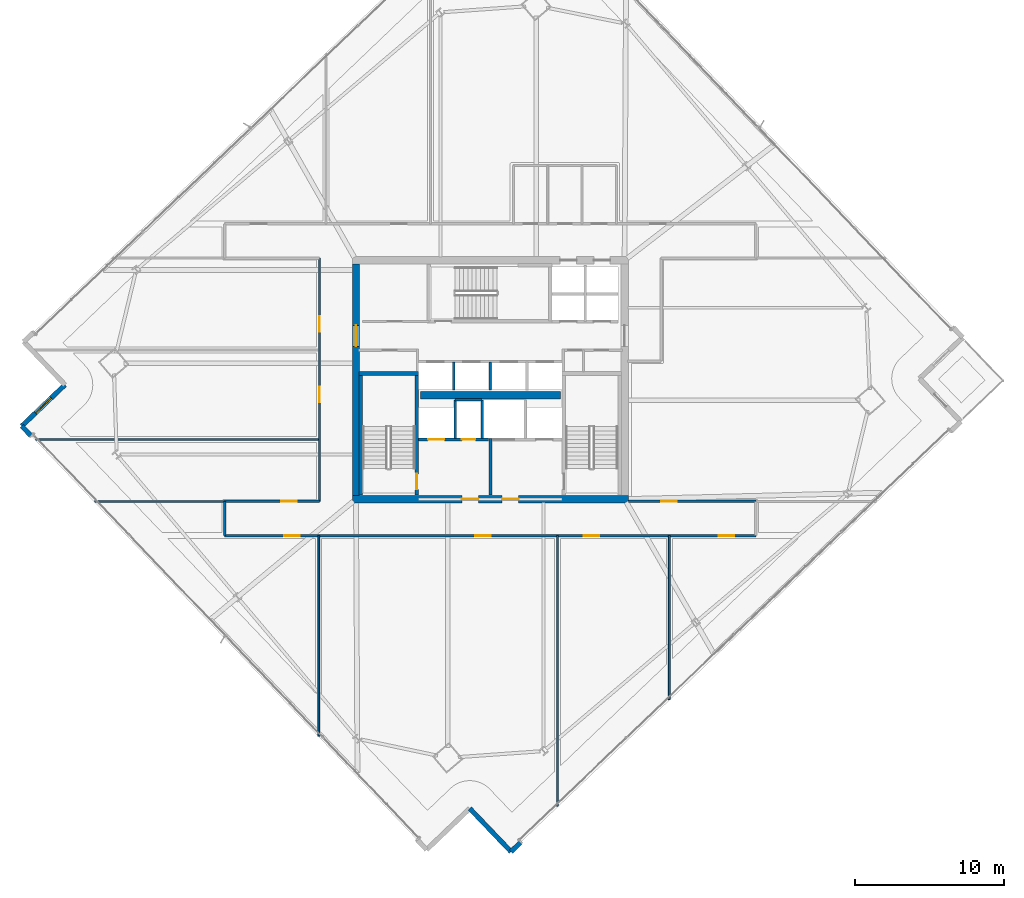
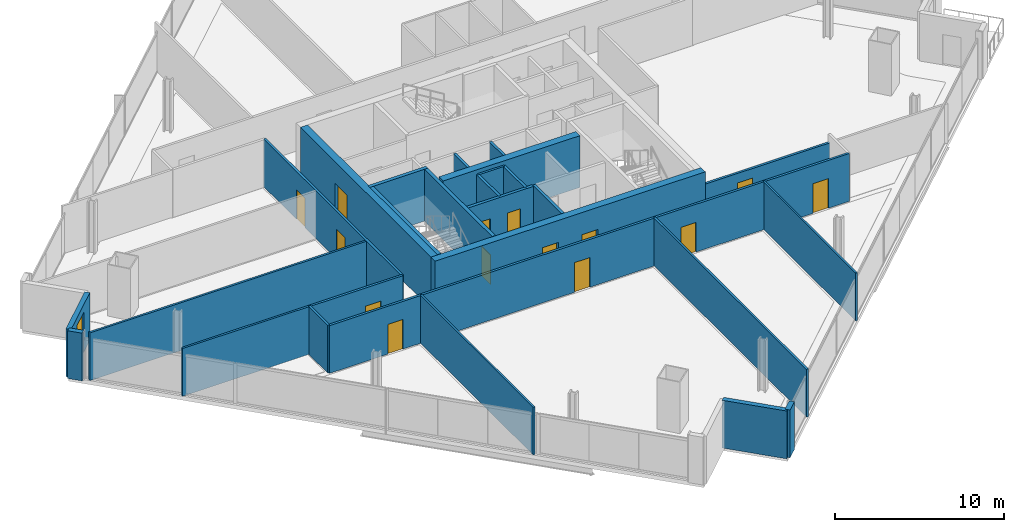
# One storey, part 25 of 33: 27 walls, 14 doors, 1 window, 15 openings.
"""IFC4 building model written with IfcOpenShell, lengths in metres."""

from ifc_helpers import new_model, si_unit, direction, frame, frame_2d, origin, place, context, subcontext, project, spatial, rectangle, extrude, material, layer, layer_set, type_object, element, fill, save


model = new_model("IFC4")

# Units and contexts
model_context = context("Model", 3, precision=1e-05, world=origin(), true_north=direction((0.0, 1.0)))
body_context = subcontext(model_context, "Body", "Model", "MODEL_VIEW")
ifc_project = project(units=[si_unit("LENGTHUNIT", "METRE"), si_unit("AREAUNIT", "SQUARE_METRE"), si_unit("VOLUMEUNIT", "CUBIC_METRE"), si_unit("PLANEANGLEUNIT", "RADIAN"), si_unit("MASSUNIT", "GRAM", prefix="KILO")], contexts=[model_context])

# Site, building, storey
site_placement = place(None, origin())
site = spatial("IfcSite", under=ifc_project, at=site_placement, CompositionType="ELEMENT")
building_placement = place(site_placement, origin())
building = spatial("IfcBuilding", under=site, at=building_placement, Name="Haldenkirk Collegiate Tower", CompositionType="ELEMENT")
storey_placement = place(building_placement, frame((0.0, 0.0, 174.449951171875)))
storey = spatial("IfcBuildingStorey", under=building, at=storey_placement, Name="L43", CompositionType="ELEMENT", Elevation=174.449951171875)

# Wall, openings, doors
ifc_material_1 = material(Name="Concrete f'c 55 MPa", Category="concrete")
ifc_layer_1 = layer(ifc_material_1, 0.5)
ifc_layer_set_1 = layer_set([ifc_layer_1], Name="Concrete f'c 55 MPa")
wall_type_1 = type_object("IfcWallType", Name="WL-CORE-500", PredefinedType="SHEAR", material=ifc_layer_set_1)
wall_1_placement = place(storey_placement, frame((26.75, 18.0, 0.0), z_axis=(0.0, 0.0, 1.0), x_axis=(1.0, 0.0, 0.0)))
wall_1 = element("IfcWall", 1, at=wall_1_placement, inside=storey, type_object=wall_type_1, Name="L43 central core shear wall S", PredefinedType="SHEAR", context=body_context, shape_type="SweptSolid", body=[
    extrude(rectangle(XDim=18.5, YDim=0.5, at=frame_2d((9.25, 0.0))), origin(), (0.0, 0.0, 1.0), 3.75),
])
opening_1_placement = place(wall_1_placement, frame((7.35009765625, 0.0, 0.0)))
opening_1 = element("IfcOpeningElement", 2, at=opening_1_placement, cuts=wall_1, Name="Opening D-02", PredefinedType="OPENING", context=body_context, shape_type="SweptSolid", body=[
    extrude(rectangle(XDim=1.10009765625, YDim=2.14990234375, at=frame_2d((0.550048828125, 1.074951171875))), frame((0.0, 0.260009765625, 0.0), z_axis=(0.0, -1.0, 0.0), x_axis=(1.0, 0.0, 0.0)), (0.0, 0.0, 1.0), 0.52001953125),
])
opening_2_placement = place(wall_1_placement, frame((10.050048828125, 0.0, 0.0)))
opening_2 = element("IfcOpeningElement", 3, at=opening_2_placement, cuts=wall_1, Name="Opening D-02", PredefinedType="OPENING", context=body_context, shape_type="SweptSolid", body=[
    extrude(rectangle(XDim=1.10009765625, YDim=2.14990234375, at=frame_2d((0.550048828125, 1.074951171875))), frame((0.0, 0.260009765625, 0.0), z_axis=(0.0, -1.0, 0.0), x_axis=(1.0, 0.0, 0.0)), (0.0, 0.0, 1.0), 0.52001953125),
])
ifc_material_2 = material(Name="Galvanized fire-rated hollow steel door", Category="steel")
ifc_layer_2 = layer(ifc_material_2, 0.06005859375)
ifc_layer_set_2 = layer_set([ifc_layer_2], Name="Galvanized fire-rated hollow steel door")
door_type_1 = type_object("IfcDoorType", Name="DR-STAIR-FD90-1100", OperationType="NOTDEFINED", PredefinedType="DOOR", material=ifc_layer_set_2)
door_1_placement = place(opening_1_placement, origin())
door_1 = element("IfcDoor", 4, at=door_1_placement, inside=storey, type_object=door_type_1, Name="L43 Firefighting Lobby 1 door", OperationType="SINGLE_SWING_RIGHT", OverallHeight=2.14990234375, OverallWidth=1.10009765625, PredefinedType="DOOR", context=body_context, shape_type="SweptSolid", body=[
    extrude(rectangle(XDim=1.10009765625, YDim=2.14990234375, at=frame_2d((0.550048828125, 1.074951171875))), frame((0.0, 0.02490234375, 0.0), z_axis=(0.0, -1.0, 0.0), x_axis=(1.0, 0.0, 0.0)), (0.0, 0.0, 1.0), 0.050048828125),
])
fill(opening_1, door_1)
door_2_placement = place(opening_2_placement, origin())
door_2 = element("IfcDoor", 5, at=door_2_placement, inside=storey, type_object=door_type_1, Name="L43 Firefighting Lobby 2 door", OperationType="SINGLE_SWING_LEFT", OverallHeight=2.14990234375, OverallWidth=1.10009765625, PredefinedType="DOOR", context=body_context, shape_type="SweptSolid", body=[
    extrude(rectangle(XDim=1.10009765625, YDim=2.14990234375, at=frame_2d((0.550048828125, 1.074951171875))), frame((0.0, 0.02490234375, 0.0), z_axis=(0.0, -1.0, 0.0), x_axis=(1.0, 0.0, 0.0)), (0.0, 0.0, 1.0), 0.050048828125),
])
fill(opening_2, door_2)

# Wall, opening, door
wall_2_placement = place(storey_placement, frame((27.0, 18.25, 0.0), z_axis=(0.0, 0.0, 1.0), x_axis=(0.0, 1.0, 0.0)))
wall_2 = element("IfcWall", 6, at=wall_2_placement, inside=storey, type_object=wall_type_1, Name="L43 central core shear wall W", PredefinedType="SHEAR", context=body_context, shape_type="SweptSolid", body=[
    extrude(rectangle(XDim=15.5, YDim=0.5, at=frame_2d((7.75, 0.0))), origin(), (0.0, 0.0, 1.0), 3.75),
])
opening_3_placement = place(wall_2_placement, frame((9.989990234375, 0.0, 0.0)))
opening_3 = element("IfcOpeningElement", 7, at=opening_3_placement, cuts=wall_2, Name="Opening D-03", PredefinedType="OPENING", context=body_context, shape_type="SweptSolid", body=[
    extrude(rectangle(XDim=1.39990234375, YDim=2.199951171875, at=frame_2d((0.699951171875, 1.10009765625))), frame((0.0, 0.260009765625, 0.0), z_axis=(0.0, -1.0, 0.0), x_axis=(1.0, 0.0, 0.0)), (0.0, 0.0, 1.0), 0.52001953125),
])
ifc_layer_3 = layer(ifc_material_2, 0.06005859375)
ifc_layer_set_3 = layer_set([ifc_layer_3], Name="Galvanized fire-rated hollow steel door")
door_type_2 = type_object("IfcDoorType", Name="DR-LOBBY-FD90-1400", OperationType="NOTDEFINED", PredefinedType="DOOR", material=ifc_layer_set_3)
door_3_placement = place(opening_3_placement, origin())
door_3 = element("IfcDoor", 8, at=door_3_placement, inside=storey, type_object=door_type_2, Name="L43 west lift lobby portal", OperationType="DOUBLE_DOOR_SINGLE_SWING", OverallHeight=2.199951171875, OverallWidth=1.39990234375, PredefinedType="DOOR", context=body_context, shape_type="SweptSolid", body=[
    extrude(rectangle(XDim=1.39990234375, YDim=2.199951171875, at=frame_2d((0.699951171875, 1.10009765625))), frame((0.0, 0.02490234375, 0.0), z_axis=(0.0, -1.0, 0.0), x_axis=(1.0, 0.0, 0.0)), (0.0, 0.0, 1.0), 0.050048828125),
])
fill(opening_3, door_3)

# Walls
wall_3_placement = place(storey_placement, frame((31.31005859375, 24.949951171875, 0.0), z_axis=(0.0, 0.0, 1.0), x_axis=(1.0, 0.0, 0.0)))
element("IfcWall", 9, at=wall_3_placement, inside=storey, type_object=wall_type_1, Name="L43 central core spine shear wall", PredefinedType="SHEAR", context=body_context, shape_type="SweptSolid", body=[
    extrude(rectangle(XDim=9.3798828125, YDim=0.5, at=frame_2d((4.68994140625, 0.0))), origin(), (0.0, 0.0, 1.0), 3.75),
])
ifc_material_3 = material(Name="Precast concrete f'c 40 MPa", Category="concrete")
ifc_layer_4 = layer(ifc_material_3, 0.320068359375)
ifc_layer_set_4 = layer_set([ifc_layer_4], Name="Precast concrete f'c 40 MPa")
wall_type_2 = type_object("IfcWallType", Name="WL-EXT-TWR-320", PredefinedType="STANDARD", material=ifc_layer_set_4)
wall_4_placement = place(storey_placement, frame((38.037109375, -5.0078125, 0.0), z_axis=(0.0, 0.0, 1.0), x_axis=(-0.722930468767, -0.690920789475, 0.0)))
element("IfcWall", 10, at=wall_4_placement, inside=storey, type_object=wall_type_2, Name="L43 precast corner pier SR", PredefinedType="STANDARD", context=body_context, shape_type="SweptSolid", body=[
    extrude(rectangle(XDim=0.89990234375, YDim=0.320068359375, at=frame_2d((0.449951171875, 0.0))), origin(), (0.0, 0.0, 1.0), 3.4599609375),
])

# Wall, opening, window
wall_5_placement = place(storey_placement, frame((4.5966796875, 22.893310546875, 0.0), z_axis=(0.0, 0.0, 1.0), x_axis=(0.722977141356, 0.690871951288, 0.0)))
wall_5 = element("IfcWall", 11, at=wall_5_placement, inside=storey, type_object=wall_type_2, Name="L43 bronze precast notch wall 09", PredefinedType="STANDARD", context=body_context, shape_type="SweptSolid", body=[
    extrude(rectangle(XDim=4.0, YDim=0.320068359375, at=frame_2d((2.0, 0.0))), origin(), (0.0, 0.0, 1.0), 3.4599609375),
])
opening_4_placement = place(wall_5_placement, frame((1.27490234375, 0.0, 0.85009765625)))
opening_4 = element("IfcOpeningElement", 12, at=opening_4_placement, cuts=wall_5, Name="Opening W-05", PredefinedType="OPENING", context=body_context, shape_type="SweptSolid", body=[
    extrude(rectangle(XDim=1.449951171875, YDim=2.050048828125, at=frame_2d((0.72509765625, 1.02490234375))), frame((0.0, 0.169921875, 0.0), z_axis=(0.0, -1.0, 0.0), x_axis=(1.0, 0.0, 0.0)), (0.0, 0.0, 1.0), 0.340087890625),
])
ifc_material_4 = material(Name="Low-E argon triple insulating glass", Category="glass")
ifc_layer_5 = layer(ifc_material_4, 0.090087890625)
ifc_layer_set_5 = layer_set([ifc_layer_5], Name="Low-E argon triple insulating glass")
window_type = type_object("IfcWindowType", Name="WN-Z3-1450X2050", PartitioningType="SINGLE_PANEL", PredefinedType="WINDOW", material=ifc_layer_set_5)
window_placement = place(opening_4_placement, origin())
window = element("IfcWindow", 13, at=window_placement, inside=storey, type_object=window_type, Name="L43 precast-frame academic window 8", OverallHeight=2.050048828125, OverallWidth=1.449951171875, PartitioningType="SINGLE_PANEL", PredefinedType="WINDOW", context=body_context, shape_type="SweptSolid", body=[
    extrude(rectangle(XDim=1.449951171875, YDim=2.050048828125, at=frame_2d((0.72509765625, 1.02490234375))), frame((0.0, 0.030029296875, 0.0), z_axis=(0.0, -1.0, 0.0), x_axis=(1.0, 0.0, 0.0)), (0.0, 0.0, 1.0), 0.06005859375),
])
fill(opening_4, window)

# Walls
wall_6_placement = place(storey_placement, frame((5.218505859375, 22.24267578125, 0.0), z_axis=(0.0, 0.0, 1.0), x_axis=(-0.690920789475, 0.722930468767, 0.0)))
element("IfcWall", 14, at=wall_6_placement, inside=storey, type_object=wall_type_2, Name="L43 precast corner pier WR", PredefinedType="STANDARD", context=body_context, shape_type="SweptSolid", body=[
    extrude(rectangle(XDim=0.89990234375, YDim=0.320068359375, at=frame_2d((0.449951171875, 0.0))), origin(), (0.0, 0.0, 1.0), 3.4599609375),
])
wall_7_placement = place(storey_placement, frame((37.386474609375, -5.629638671875, 0.0), z_axis=(0.0, 0.0, 1.0), x_axis=(-0.690903852793, 0.722946655153, 0.0)))
element("IfcWall", 15, at=wall_7_placement, inside=storey, type_object=wall_type_2, Name="L43 bronze precast notch wall 12", PredefinedType="STANDARD", context=body_context, shape_type="SweptSolid", body=[
    extrude(rectangle(XDim=4.0, YDim=0.320068359375, at=frame_2d((2.0, 0.0))), origin(), (0.0, 0.0, 1.0), 3.4599609375),
])

# Wall, openings, doors
ifc_material_5 = material(Name="Acoustic fire-rated gypsum partition", Category="concrete")
ifc_layer_6 = layer(ifc_material_5, 0.159912109375)
ifc_layer_set_6 = layer_set([ifc_layer_6], Name="Acoustic fire-rated gypsum partition")
wall_type_3 = type_object("IfcWallType", Name="WL-INT-CORR-160", PredefinedType="PARTITIONING", material=ifc_layer_set_6)
wall_8_placement = place(storey_placement, frame((18.199951171875, 15.550048828125, 0.0), z_axis=(0.0, 0.0, 1.0), x_axis=(1.0, 0.0, 0.0)))
wall_8 = element("IfcWall", 16, at=wall_8_placement, inside=storey, type_object=wall_type_3, Name="L43 interior partition IW-L43-CS", PredefinedType="PARTITIONING", context=body_context, shape_type="SweptSolid", body=[
    extrude(rectangle(XDim=35.60009765625, YDim=0.159912109375, at=frame_2d((17.800048828125, 0.0))), origin(), (0.0, 0.0, 1.0), 3.4599609375),
])
opening_5_placement = place(wall_8_placement, frame((3.985107421875, 0.0, 0.0)))
opening_5 = element("IfcOpeningElement", 17, at=opening_5_placement, cuts=wall_8, Name="Opening D-09", PredefinedType="OPENING", context=body_context, shape_type="SweptSolid", body=[
    extrude(rectangle(XDim=1.050048828125, YDim=2.14990234375, at=frame_2d((0.52490234375, 1.074951171875))), frame((0.0, 0.08984375, 0.0), z_axis=(0.0, -1.0, 0.0), x_axis=(1.0, 0.0, 0.0)), (0.0, 0.0, 1.0), 0.179931640625),
])
opening_6_placement = place(wall_8_placement, frame((16.77490234375, 0.0, 0.0)))
opening_6 = element("IfcOpeningElement", 18, at=opening_6_placement, cuts=wall_8, Name="Opening D-09", PredefinedType="OPENING", context=body_context, shape_type="SweptSolid", body=[
    extrude(rectangle(XDim=1.050048828125, YDim=2.14990234375, at=frame_2d((0.52490234375, 1.074951171875))), frame((0.0, 0.08984375, 0.0), z_axis=(0.0, -1.0, 0.0), x_axis=(1.0, 0.0, 0.0)), (0.0, 0.0, 1.0), 0.179931640625),
])
opening_7_placement = place(wall_8_placement, frame((24.054931640625, 0.0, 0.0)))
opening_7 = element("IfcOpeningElement", 19, at=opening_7_placement, cuts=wall_8, Name="Opening D-09", PredefinedType="OPENING", context=body_context, shape_type="SweptSolid", body=[
    extrude(rectangle(XDim=1.050048828125, YDim=2.14990234375, at=frame_2d((0.52490234375, 1.074951171875))), frame((0.0, 0.08984375, 0.0), z_axis=(0.0, -1.0, 0.0), x_axis=(1.0, 0.0, 0.0)), (0.0, 0.0, 1.0), 0.179931640625),
])
opening_8_placement = place(wall_8_placement, frame((33.113037109375, 0.0, 0.0)))
opening_8 = element("IfcOpeningElement", 20, at=opening_8_placement, cuts=wall_8, Name="Opening D-09", PredefinedType="OPENING", context=body_context, shape_type="SweptSolid", body=[
    extrude(rectangle(XDim=1.050048828125, YDim=2.14990234375, at=frame_2d((0.52490234375, 1.074951171875))), frame((0.0, 0.08984375, 0.0), z_axis=(0.0, -1.0, 0.0), x_axis=(1.0, 0.0, 0.0)), (0.0, 0.0, 1.0), 0.179931640625),
])
ifc_material_6 = material(Name="Solid-core architectural oak fire door", Category="wood")
ifc_layer_7 = layer(ifc_material_6, 0.06005859375)
ifc_layer_set_7 = layer_set([ifc_layer_7], Name="Solid-core architectural oak fire door")
door_type_3 = type_object("IfcDoorType", Name="DR-INT-FD60-1050", OperationType="NOTDEFINED", PredefinedType="DOOR", material=ifc_layer_set_7)
door_4_placement = place(opening_5_placement, origin())
door_4 = element("IfcDoor", 21, at=door_4_placement, inside=storey, type_object=door_type_3, Name="L43 Wet Science Laboratory 1 door", OperationType="SINGLE_SWING_RIGHT", OverallHeight=2.14990234375, OverallWidth=1.050048828125, PredefinedType="DOOR", context=body_context, shape_type="SweptSolid", body=[
    extrude(rectangle(XDim=1.050048828125, YDim=2.14990234375, at=frame_2d((0.52490234375, 1.074951171875))), frame((0.0, 0.02490234375, 0.0), z_axis=(0.0, -1.0, 0.0), x_axis=(1.0, 0.0, 0.0)), (0.0, 0.0, 1.0), 0.050048828125),
])
fill(opening_5, door_4)
door_5_placement = place(opening_6_placement, origin())
door_5 = element("IfcDoor", 22, at=door_5_placement, inside=storey, type_object=door_type_3, Name="L43 Robotics Fabrication Lab 2 door", OperationType="SINGLE_SWING_LEFT", OverallHeight=2.14990234375, OverallWidth=1.050048828125, PredefinedType="DOOR", context=body_context, shape_type="SweptSolid", body=[
    extrude(rectangle(XDim=1.050048828125, YDim=2.14990234375, at=frame_2d((0.52490234375, 1.074951171875))), frame((0.0, 0.02490234375, 0.0), z_axis=(0.0, -1.0, 0.0), x_axis=(1.0, 0.0, 0.0)), (0.0, 0.0, 1.0), 0.050048828125),
])
fill(opening_6, door_5)
door_6_placement = place(opening_7_placement, origin())
door_6 = element("IfcDoor", 23, at=door_6_placement, inside=storey, type_object=door_type_3, Name="L43 Computational Design Studio 3 door", OperationType="SINGLE_SWING_RIGHT", OverallHeight=2.14990234375, OverallWidth=1.050048828125, PredefinedType="DOOR", context=body_context, shape_type="SweptSolid", body=[
    extrude(rectangle(XDim=1.050048828125, YDim=2.14990234375, at=frame_2d((0.52490234375, 1.074951171875))), frame((0.0, 0.02490234375, 0.0), z_axis=(0.0, -1.0, 0.0), x_axis=(1.0, 0.0, 0.0)), (0.0, 0.0, 1.0), 0.050048828125),
])
fill(opening_7, door_6)
door_7_placement = place(opening_8_placement, origin())
door_7 = element("IfcDoor", 24, at=door_7_placement, inside=storey, type_object=door_type_3, Name="L43 Faculty Office 4 door", OperationType="SINGLE_SWING_LEFT", OverallHeight=2.14990234375, OverallWidth=1.050048828125, PredefinedType="DOOR", context=body_context, shape_type="SweptSolid", body=[
    extrude(rectangle(XDim=1.050048828125, YDim=2.14990234375, at=frame_2d((0.52490234375, 1.074951171875))), frame((0.0, 0.02490234375, 0.0), z_axis=(0.0, -1.0, 0.0), x_axis=(1.0, 0.0, 0.0)), (0.0, 0.0, 1.0), 0.050048828125),
])
fill(opening_8, door_7)

# Wall, opening, door
wall_9_placement = place(storey_placement, frame((18.199951171875, 17.85009765625, 0.0), z_axis=(0.0, 0.0, 1.0), x_axis=(1.0, 0.0, 0.0)))
wall_9 = element("IfcWall", 25, at=wall_9_placement, inside=storey, type_object=wall_type_3, Name="L43 interior partition IW-L43-CSW", PredefinedType="PARTITIONING", context=body_context, shape_type="SweptSolid", body=[
    extrude(rectangle(XDim=6.35009765625, YDim=0.159912109375, at=frame_2d((3.175048828125, 0.0))), origin(), (0.0, 0.0, 1.0), 3.4599609375),
])
opening_9_placement = place(wall_9_placement, frame((3.79296875, 0.0, 0.0)))
opening_9 = element("IfcOpeningElement", 26, at=opening_9_placement, cuts=wall_9, Name="Opening D-09", PredefinedType="OPENING", context=body_context, shape_type="SweptSolid", body=[
    extrude(rectangle(XDim=1.050048828125, YDim=2.14990234375, at=frame_2d((0.52490234375, 1.074951171875))), frame((0.0, 0.08984375, 0.0), z_axis=(0.0, -1.0, 0.0), x_axis=(1.0, 0.0, 0.0)), (0.0, 0.0, 1.0), 0.179931640625),
])
door_8_placement = place(opening_9_placement, origin())
door_8 = element("IfcDoor", 27, at=door_8_placement, inside=storey, type_object=door_type_3, Name="L43 Robotics Fabrication Lab 8 door", OperationType="SINGLE_SWING_LEFT", OverallHeight=2.14990234375, OverallWidth=1.050048828125, PredefinedType="DOOR", context=body_context, shape_type="SweptSolid", body=[
    extrude(rectangle(XDim=1.050048828125, YDim=2.14990234375, at=frame_2d((0.52490234375, 1.074951171875))), frame((0.0, 0.02490234375, 0.0), z_axis=(0.0, -1.0, 0.0), x_axis=(1.0, 0.0, 0.0)), (0.0, 0.0, 1.0), 0.050048828125),
])
fill(opening_9, door_8)

wall_10_placement = place(storey_placement, frame((45.25, 17.85009765625, 0.0), z_axis=(0.0, 0.0, 1.0), x_axis=(1.0, 0.0, 0.0)))
wall_10 = element("IfcWall", 28, at=wall_10_placement, inside=storey, type_object=wall_type_3, Name="L43 interior partition IW-L43-CSE", PredefinedType="PARTITIONING", context=body_context, shape_type="SweptSolid", body=[
    extrude(rectangle(XDim=8.550048828125, YDim=0.159912109375, at=frame_2d((4.27490234375, 0.0))), origin(), (0.0, 0.0, 1.0), 2.839111328125),
])
opening_10_placement = place(wall_10_placement, frame((2.2109375, 0.0, 0.0)))
opening_10 = element("IfcOpeningElement", 29, at=opening_10_placement, cuts=wall_10, Name="Opening D-09", PredefinedType="OPENING", context=body_context, shape_type="SweptSolid", body=[
    extrude(rectangle(XDim=1.050048828125, YDim=2.14990234375, at=frame_2d((0.52490234375, 1.074951171875))), frame((0.0, 0.08984375, 0.0), z_axis=(0.0, -1.0, 0.0), x_axis=(1.0, 0.0, 0.0)), (0.0, 0.0, 1.0), 0.179931640625),
])
door_9_placement = place(opening_10_placement, origin())
door_9 = element("IfcDoor", 30, at=door_9_placement, inside=storey, type_object=door_type_3, Name="L43 Research Office 11 door", OperationType="SINGLE_SWING_RIGHT", OverallHeight=2.14990234375, OverallWidth=1.050048828125, PredefinedType="DOOR", context=body_context, shape_type="SweptSolid", body=[
    extrude(rectangle(XDim=1.050048828125, YDim=2.14990234375, at=frame_2d((0.52490234375, 1.074951171875))), frame((0.0, 0.02490234375, 0.0), z_axis=(0.0, -1.0, 0.0), x_axis=(1.0, 0.0, 0.0)), (0.0, 0.0, 1.0), 0.050048828125),
])
fill(opening_10, door_9)

# Wall, openings, doors
wall_11_placement = place(storey_placement, frame((24.550048828125, 17.85009765625, 0.0), z_axis=(0.0, 0.0, 1.0), x_axis=(0.0, 1.0, 0.0)))
wall_11 = element("IfcWall", 31, at=wall_11_placement, inside=storey, type_object=wall_type_3, Name="L43 interior partition IW-L43-CW", PredefinedType="PARTITIONING", context=body_context, shape_type="SweptSolid", body=[
    extrude(rectangle(XDim=16.2998046875, YDim=0.159912109375, at=frame_2d((8.14990234375, 0.0))), origin(), (0.0, 0.0, 1.0), 3.4599609375),
])
opening_11_placement = place(wall_11_placement, frame((6.625, 0.0, 0.0)))
opening_11 = element("IfcOpeningElement", 32, at=opening_11_placement, cuts=wall_11, Name="Opening D-09", PredefinedType="OPENING", context=body_context, shape_type="SweptSolid", body=[
    extrude(rectangle(XDim=1.050048828125, YDim=2.14990234375, at=frame_2d((0.52490234375, 1.074951171875))), frame((0.0, 0.08984375, 0.0), z_axis=(0.0, -1.0, 0.0), x_axis=(1.0, 0.0, 0.0)), (0.0, 0.0, 1.0), 0.179931640625),
])
opening_12_placement = place(wall_11_placement, frame((11.366943359375, 0.0, 0.0)))
opening_12 = element("IfcOpeningElement", 33, at=opening_12_placement, cuts=wall_11, Name="Opening D-09", PredefinedType="OPENING", context=body_context, shape_type="SweptSolid", body=[
    extrude(rectangle(XDim=1.050048828125, YDim=2.14990234375, at=frame_2d((0.52490234375, 1.074951171875))), frame((0.0, 0.08984375, 0.0), z_axis=(0.0, -1.0, 0.0), x_axis=(1.0, 0.0, 0.0)), (0.0, 0.0, 1.0), 0.179931640625),
])
door_10_placement = place(opening_11_placement, origin())
door_10 = element("IfcDoor", 34, at=door_10_placement, inside=storey, type_object=door_type_3, Name="L43 Computational Design Studio 9 door", OperationType="SINGLE_SWING_RIGHT", OverallHeight=2.14990234375, OverallWidth=1.050048828125, PredefinedType="DOOR", context=body_context, shape_type="SweptSolid", body=[
    extrude(rectangle(XDim=1.050048828125, YDim=2.14990234375, at=frame_2d((0.52490234375, 1.074951171875))), frame((0.0, 0.02490234375, 0.0), z_axis=(0.0, -1.0, 0.0), x_axis=(1.0, 0.0, 0.0)), (0.0, 0.0, 1.0), 0.050048828125),
])
fill(opening_11, door_10)
door_11_placement = place(opening_12_placement, origin())
door_11 = element("IfcDoor", 35, at=door_11_placement, inside=storey, type_object=door_type_3, Name="L43 Faculty Office 10 door", OperationType="SINGLE_SWING_LEFT", OverallHeight=2.14990234375, OverallWidth=1.050048828125, PredefinedType="DOOR", context=body_context, shape_type="SweptSolid", body=[
    extrude(rectangle(XDim=1.050048828125, YDim=2.14990234375, at=frame_2d((0.52490234375, 1.074951171875))), frame((0.0, 0.02490234375, 0.0), z_axis=(0.0, -1.0, 0.0), x_axis=(1.0, 0.0, 0.0)), (0.0, 0.0, 1.0), 0.050048828125),
])
fill(opening_12, door_11)

# Walls
wall_12_placement = place(storey_placement, frame((18.199951171875, 15.550048828125, 0.0), z_axis=(0.0, 0.0, 1.0), x_axis=(0.0, 1.0, 0.0)))
element("IfcWall", 36, at=wall_12_placement, inside=storey, type_object=wall_type_3, Name="L43 interior partition IW-L43-CSL", PredefinedType="PARTITIONING", context=body_context, shape_type="SweptSolid", body=[
    extrude(rectangle(XDim=2.300048828125, YDim=0.159912109375, at=frame_2d((1.14990234375, 0.0))), origin(), (0.0, 0.0, 1.0), 3.4599609375),
])
ifc_layer_8 = layer(ifc_material_5, 0.139892578125)
ifc_layer_set_8 = layer_set([ifc_layer_8], Name="Acoustic fire-rated gypsum partition")
wall_type_4 = type_object("IfcWallType", Name="WL-INT-DIV-140", PredefinedType="PARTITIONING", material=ifc_layer_set_8)
wall_13_placement = place(storey_placement, frame((9.471435546875, 17.85009765625, 0.0), z_axis=(0.0, 0.0, 1.0), x_axis=(1.0, 0.0, 0.0)))
element("IfcWall", 37, at=wall_13_placement, inside=storey, type_object=wall_type_4, Name="L43 interior partition IW-L43-BWS", PredefinedType="PARTITIONING", context=body_context, shape_type="SweptSolid", body=[
    extrude(rectangle(XDim=8.728515625, YDim=0.139892578125, at=frame_2d((4.3642578125, 0.0))), origin(), (0.0, 0.0, 1.0), 3.4599609375),
])
wall_14_placement = place(storey_placement, frame((40.5, -2.598876953125, 0.0), z_axis=(0.0, 0.0, 1.0), x_axis=(0.0, 1.0, 0.0)))
element("IfcWall", 38, at=wall_14_placement, inside=storey, type_object=wall_type_4, Name="L43 interior partition IW-L43-RS2", PredefinedType="PARTITIONING", context=body_context, shape_type="SweptSolid", body=[
    extrude(rectangle(XDim=18.14892578125, YDim=0.139892578125, at=frame_2d((9.074462890625, 0.0))), origin(), (0.0, 0.0, 1.0), 3.4599609375),
])
wall_15_placement = place(storey_placement, frame((5.505615234375, 22.0, 0.0), z_axis=(0.0, 0.0, 1.0), x_axis=(1.0, 0.0, 0.0)))
element("IfcWall", 39, at=wall_15_placement, inside=storey, type_object=wall_type_4, Name="L43 interior partition IW-L43-RW1", PredefinedType="PARTITIONING", context=body_context, shape_type="SweptSolid", body=[
    extrude(rectangle(XDim=19.04443359375, YDim=0.139892578125, at=frame_2d((9.522216796875, 0.0))), origin(), (0.0, 0.0, 1.0), 3.4599609375),
])
ifc_material_7 = material(Name="Fire-rated gypsum shaftboard assembly", Category="concrete")
ifc_layer_9 = layer(ifc_material_7, 0.179931640625)
ifc_layer_set_9 = layer_set([ifc_layer_9], Name="Fire-rated gypsum shaftboard assembly")
wall_type_5 = type_object("IfcWallType", Name="WL-INT-SHAFT-180", PredefinedType="PARTITIONING", material=ifc_layer_set_9)
for number, where, z_axis, x_axis, name in (
    (40, (33.64990234375, 22.050048828125, 0.0), (0.0, 0.0, 1.0), (0.0, 1.0, 0.0), "L43 interior partition IW-L43-FL1E"),
    (41, (35.449951171875, 22.050048828125, 0.0), (0.0, 0.0, 1.0), (0.0, 1.0, 0.0), "L43 interior partition IW-L43-GL1W"),
):
    element("IfcWall", number, at=place(storey_placement, frame(where, z_axis=z_axis, x_axis=x_axis)), inside=storey, type_object=wall_type_5, Name=name, PredefinedType="PARTITIONING", context=body_context, shape_type="SweptSolid", body=[
        extrude(rectangle(XDim=2.599853515625, YDim=0.179931640625, at=frame_2d((1.2998046875, 0.0))), origin(), (0.0, 0.0, 1.0), 3.4599609375),
    ])
wall_16_placement = place(storey_placement, frame((33.64990234375, 24.64990234375, 0.0), z_axis=(0.0, 0.0, 1.0), x_axis=(1.0, 0.0, 0.0)))
element("IfcWall", 42, at=wall_16_placement, inside=storey, type_object=wall_type_5, Name="L43 interior partition IW-L43-RSRN", PredefinedType="PARTITIONING", context=body_context, shape_type="SweptSolid", body=[
    extrude(rectangle(XDim=1.800048828125, YDim=0.179931640625, at=frame_2d((0.89990234375, 0.0))), origin(), (0.0, 0.0, 1.0), 3.4599609375),
])
for number, where, z_axis, x_axis, name in (
    (43, (33.5400390625, 25.300048828125, 0.0), (0.0, 0.0, 1.0), (0.0, 1.0, 0.0), "L43 interior partition IW-L43-PHV1"),
    (44, (36.0, 25.300048828125, 0.0), (0.0, 0.0, 1.0), (0.0, 1.0, 0.0), "L43 interior partition IW-L43-PHV2"),
):
    element("IfcWall", number, at=place(storey_placement, frame(where, z_axis=z_axis, x_axis=x_axis)), inside=storey, type_object=wall_type_5, Name=name, PredefinedType="PARTITIONING", context=body_context, shape_type="SweptSolid", body=[
        extrude(rectangle(XDim=1.89990234375, YDim=0.179931640625, at=frame_2d((0.949951171875, 0.0))), origin(), (0.0, 0.0, 1.0), 3.4599609375),
    ])
ifc_layer_10 = layer(ifc_material_7, 0.199951171875)
ifc_layer_set_10 = layer_set([ifc_layer_10], Name="Fire-rated gypsum shaftboard assembly")
wall_type_6 = type_object("IfcWallType", Name="WL-INT-SHAFT-200", PredefinedType="PARTITIONING", material=ifc_layer_set_10)
wall_17_placement = place(storey_placement, frame((36.0, 18.280029296875, 0.0), z_axis=(0.0, 0.0, 1.0), x_axis=(0.0, 1.0, 0.0)))
element("IfcWall", 45, at=wall_17_placement, inside=storey, type_object=wall_type_6, Name="L43 interior partition IW-L43-FFLM", PredefinedType="PARTITIONING", context=body_context, shape_type="SweptSolid", body=[
    extrude(rectangle(XDim=3.77001953125, YDim=0.199951171875, at=frame_2d((1.885009765625, 0.0))), origin(), (0.0, 0.0, 1.0), 3.4599609375),
])

# Wall, openings, doors
wall_18_placement = place(storey_placement, frame((31.18994140625, 22.0, 0.0), z_axis=(0.0, 0.0, 1.0), x_axis=(1.0, 0.0, 0.0)))
wall_18 = element("IfcWall", 46, at=wall_18_placement, inside=storey, type_object=wall_type_6, Name="L43 interior partition IW-L43-FFL1N", PredefinedType="PARTITIONING", context=body_context, shape_type="SweptSolid", body=[
    extrude(rectangle(XDim=4.68994140625, YDim=0.199951171875, at=frame_2d((2.344970703125, 0.0))), origin(), (0.0, 0.0, 1.0), 3.4599609375),
])
opening_13_placement = place(wall_18_placement, frame((2.909912109375, 0.0, 0.0)))
opening_13 = element("IfcOpeningElement", 47, at=opening_13_placement, cuts=wall_18, Name="Opening D-06", PredefinedType="OPENING", context=body_context, shape_type="SweptSolid", body=[
    extrude(rectangle(XDim=0.89990234375, YDim=2.14990234375, at=frame_2d((0.449951171875, 1.074951171875))), frame((0.0, 0.10986328125, 0.0), z_axis=(0.0, -1.0, 0.0), x_axis=(1.0, 0.0, 0.0)), (0.0, 0.0, 1.0), 0.219970703125),
])
opening_14_placement = place(wall_18_placement, frame((0.635009765625, 0.0, 0.0)))
opening_14 = element("IfcOpeningElement", 48, at=opening_14_placement, cuts=wall_18, Name="Opening LD-12", PredefinedType="OPENING", context=body_context, shape_type="SweptSolid", body=[
    extrude(rectangle(XDim=1.10009765625, YDim=2.14990234375, at=frame_2d((0.550048828125, 1.074951171875))), frame((0.0, 0.10986328125, 0.0), z_axis=(0.0, -1.0, 0.0), x_axis=(1.0, 0.0, 0.0)), (0.0, 0.0, 1.0), 0.219970703125),
])
ifc_layer_11 = layer(ifc_material_2, 0.06005859375)
ifc_layer_set_11 = layer_set([ifc_layer_11], Name="Galvanized fire-rated hollow steel door")
door_type_4 = type_object("IfcDoorType", Name="DR-INT-FD90-900", OperationType="NOTDEFINED", PredefinedType="DOOR", material=ifc_layer_set_11)
door_12_placement = place(opening_13_placement, origin())
door_12 = element("IfcDoor", 49, at=door_12_placement, inside=storey, type_object=door_type_4, Name="L43 electrical riser door", OperationType="SINGLE_SWING_RIGHT", OverallHeight=2.14990234375, OverallWidth=0.89990234375, PredefinedType="DOOR", context=body_context, shape_type="SweptSolid", body=[
    extrude(rectangle(XDim=0.89990234375, YDim=2.14990234375, at=frame_2d((0.449951171875, 1.074951171875))), frame((0.0, 0.02490234375, 0.0), z_axis=(0.0, -1.0, 0.0), x_axis=(1.0, 0.0, 0.0)), (0.0, 0.0, 1.0), 0.050048828125),
])
fill(opening_13, door_12)
ifc_material_8 = material(Name="Brushed architectural stainless steel", Category="steel")
ifc_layer_12 = layer(ifc_material_8, 0.06005859375)
ifc_layer_set_12 = layer_set([ifc_layer_12], Name="Brushed architectural stainless steel")
door_type_5 = type_object("IfcDoorType", Name="LD-FIRE-1100", OperationType="NOTDEFINED", PredefinedType="DOOR", material=ifc_layer_set_12)
door_13_placement = place(opening_14_placement, origin())
door_13 = element("IfcDoor", 50, at=door_13_placement, inside=storey, type_object=door_type_5, Name="L43 Elevator FL1 sliding landing door", OperationType="SLIDING_TO_LEFT", OverallHeight=2.14990234375, OverallWidth=1.10009765625, PredefinedType="DOOR", context=body_context, shape_type="SweptSolid", body=[
    extrude(rectangle(XDim=1.10009765625, YDim=2.14990234375, at=frame_2d((0.550048828125, 1.074951171875))), frame((0.0, 0.02490234375, 0.0), z_axis=(0.0, -1.0, 0.0), x_axis=(1.0, 0.0, 0.0)), (0.0, 0.0, 1.0), 0.050048828125),
])
fill(opening_14, door_13)

# Walls
ifc_layer_13 = layer(ifc_material_5, 0.1201171875)
ifc_layer_set_13 = layer_set([ifc_layer_13], Name="Acoustic fire-rated gypsum partition")
wall_type_7 = type_object("IfcWallType", Name="WL-INT-WET-120", PredefinedType="PARTITIONING", material=ifc_layer_set_13)
wall_19_placement = place(storey_placement, frame((24.5, 2.123291015625, 0.0), z_axis=(0.0, 0.0, 1.0), x_axis=(0.0, 1.0, 0.0)))
element("IfcWall", 51, at=wall_19_placement, inside=storey, type_object=wall_type_7, Name="L43 interior partition IW-L43-RS1", PredefinedType="PARTITIONING", context=body_context, shape_type="SweptSolid", body=[
    extrude(rectangle(XDim=13.4267578125, YDim=0.1201171875, at=frame_2d((6.71337890625, 0.0))), origin(), (0.0, 0.0, 1.0), 3.4599609375),
])
wall_20_placement = place(storey_placement, frame((48.0, 4.568359375, 0.0), z_axis=(0.0, 0.0, 1.0), x_axis=(0.0, 1.0, 0.0)))
element("IfcWall", 52, at=wall_20_placement, inside=storey, type_object=wall_type_7, Name="L43 interior partition IW-L43-RS3", PredefinedType="PARTITIONING", context=body_context, shape_type="SweptSolid", body=[
    extrude(rectangle(XDim=10.981689453125, YDim=0.1201171875, at=frame_2d((5.49072265625, 0.0))), origin(), (0.0, 0.0, 1.0), 3.4599609375),
])

# Wall, opening, door
ifc_layer_14 = layer(ifc_material_1, 0.239990234375)
ifc_layer_set_14 = layer_set([ifc_layer_14], Name="Concrete f'c 55 MPa")
wall_type_8 = type_object("IfcWallType", Name="WL-SHAFT-240", PredefinedType="SHEAR", material=ifc_layer_set_14)
wall_21_placement = place(storey_placement, frame((31.070068359375, 18.280029296875, 0.0), z_axis=(0.0, 0.0, 1.0), x_axis=(0.0, 1.0, 0.0)))
wall_21 = element("IfcWall", 53, at=wall_21_placement, inside=storey, type_object=wall_type_8, Name="L43 stair shaft shear wall SW-L43-ST1E", PredefinedType="SHEAR", context=body_context, shape_type="SweptSolid", body=[
    extrude(rectangle(XDim=8.260009765625, YDim=0.239990234375, at=frame_2d((4.1298828125, 0.0))), origin(), (0.0, 0.0, 1.0), 3.75),
])
opening_15_placement = place(wall_21_placement, frame((0.364990234375, 0.0, 0.0)))
opening_15 = element("IfcOpeningElement", 54, at=opening_15_placement, cuts=wall_21, Name="Opening D-01", PredefinedType="OPENING", context=body_context, shape_type="SweptSolid", body=[
    extrude(rectangle(XDim=1.050048828125, YDim=2.14990234375, at=frame_2d((0.52490234375, 1.074951171875))), frame((0.0, 0.1298828125, 0.0), z_axis=(0.0, -1.0, 0.0), x_axis=(1.0, 0.0, 0.0)), (0.0, 0.0, 1.0), 0.260009765625),
])
ifc_layer_15 = layer(ifc_material_2, 0.06005859375)
ifc_layer_set_15 = layer_set([ifc_layer_15], Name="Galvanized fire-rated hollow steel door")
door_type_6 = type_object("IfcDoorType", Name="DR-STAIR-FD90-1050", OperationType="NOTDEFINED", PredefinedType="DOOR", material=ifc_layer_set_15)
door_14_placement = place(opening_15_placement, origin())
door_14 = element("IfcDoor", 55, at=door_14_placement, inside=storey, type_object=door_type_6, Name="L43 Stair 1 door", OperationType="SINGLE_SWING_LEFT", OverallHeight=2.14990234375, OverallWidth=1.050048828125, PredefinedType="DOOR", context=body_context, shape_type="SweptSolid", body=[
    extrude(rectangle(XDim=1.050048828125, YDim=2.14990234375, at=frame_2d((0.52490234375, 1.074951171875))), frame((0.0, 0.02490234375, 0.0), z_axis=(0.0, -1.0, 0.0), x_axis=(1.0, 0.0, 0.0)), (0.0, 0.0, 1.0), 0.050048828125),
])
fill(opening_15, door_14)

# Walls
wall_22_placement = place(storey_placement, frame((27.2099609375, 26.419921875, 0.0), z_axis=(0.0, 0.0, 1.0), x_axis=(1.0, 0.0, 0.0)))
element("IfcWall", 56, at=wall_22_placement, inside=storey, type_object=wall_type_8, Name="L43 stair shaft shear wall SW-L43-ST1N", PredefinedType="SHEAR", context=body_context, shape_type="SweptSolid", body=[
    extrude(rectangle(XDim=3.97998046875, YDim=0.239990234375, at=frame_2d((1.989990234375, 0.0))), origin(), (0.0, 0.0, 1.0), 3.75),
])
wall_23_placement = place(storey_placement, frame((27.330078125, 18.280029296875, 0.0), z_axis=(0.0, 0.0, 1.0), x_axis=(0.0, 1.0, 0.0)))
element("IfcWall", 57, at=wall_23_placement, inside=storey, type_object=wall_type_8, Name="L43 stair shaft shear wall SW-L43-ST1W", PredefinedType="SHEAR", context=body_context, shape_type="SweptSolid", body=[
    extrude(rectangle(XDim=8.260009765625, YDim=0.239990234375, at=frame_2d((4.1298828125, 0.0))), origin(), (0.0, 0.0, 1.0), 3.75),
])

save(model, "model.ifc")
